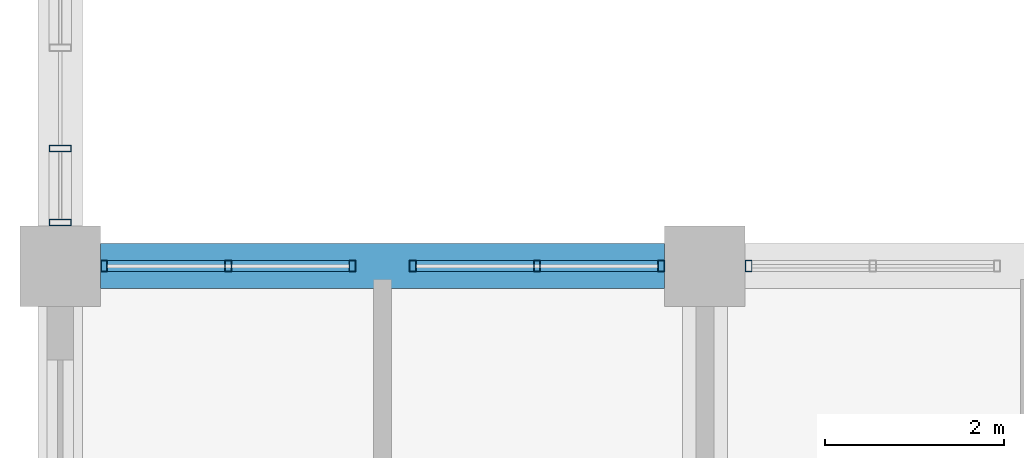
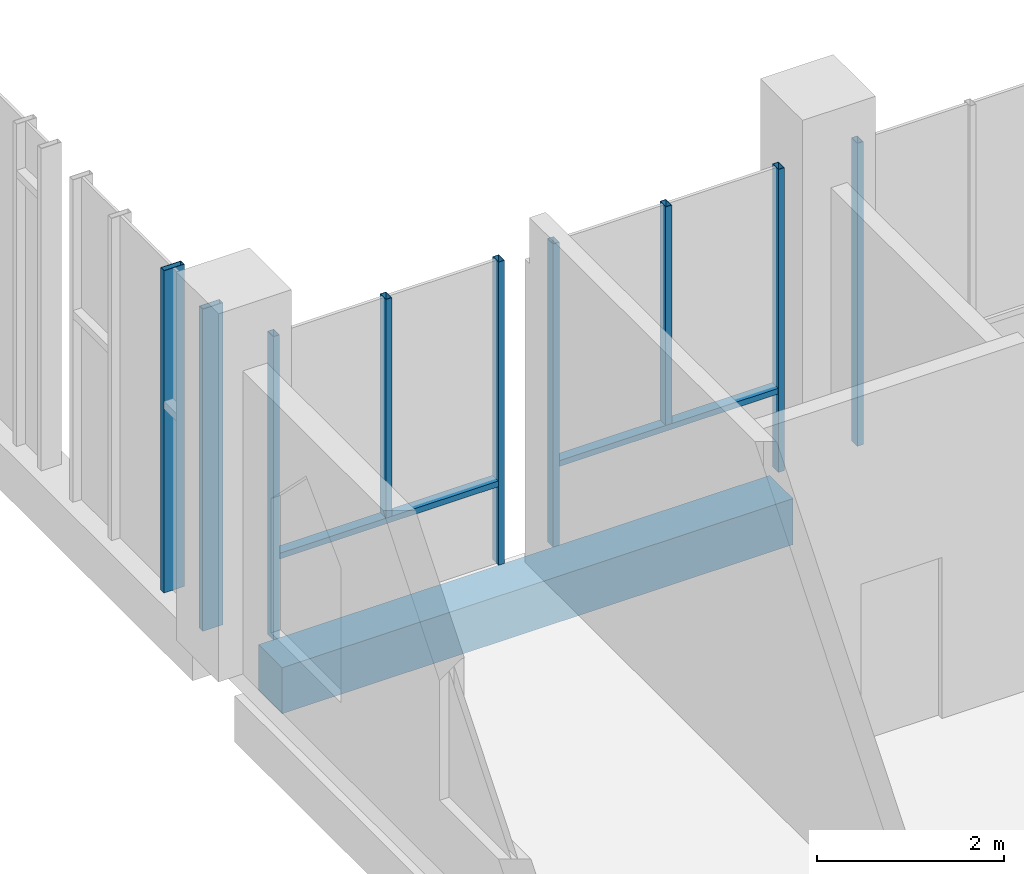
# One storey, part 2 of 30: 11 members, 1 beam, 4 elements without a shape of their own.
"""IFC4 building model written with IfcOpenShell, lengths in metres."""

from ifc_helpers import new_model, si_unit, direction, frame, origin, origin_2d, place, context, subcontext, project, spatial, rectangle, hollow_rectangle, extrude, material, material_profile, profile_set, type_object, element, aggregate, save


model = new_model("IFC4")

# Units and contexts
model_context = context("Model", 3, precision=1e-05, world=origin(), true_north=direction((0.0, 1.0)))
body_context = subcontext(model_context, "Body", "Model", "MODEL_VIEW")
ifc_project = project(units=[si_unit("LENGTHUNIT", "METRE"), si_unit("AREAUNIT", "SQUARE_METRE"), si_unit("VOLUMEUNIT", "CUBIC_METRE"), si_unit("PLANEANGLEUNIT", "RADIAN"), si_unit("MASSUNIT", "GRAM", prefix="KILO")], contexts=[model_context])

# Site, building, storey
site_placement = place(None, origin())
site = spatial("IfcSite", under=ifc_project, at=site_placement, CompositionType="ELEMENT")
building_placement = place(site_placement, origin())
building = spatial("IfcBuilding", under=site, at=building_placement, Name="Silangan Lancet Faculty of Sciences", CompositionType="ELEMENT")
storey_placement = place(building_placement, frame((0.0, 0.0, 31.199951171875)))
storey = spatial("IfcBuildingStorey", under=building, at=storey_placement, Name="L06", CompositionType="ELEMENT", Elevation=31.199951171875)

# Beam
ifc_material_1 = material(Name="Concrete C40/50", Category="concrete")
ifc_material_profile_1 = material_profile(ifc_material_1, rectangle(XDim=0.5, YDim=0.60009765625, at=origin_2d()), Name="RC 500x600")
ifc_profile_set_1 = profile_set([ifc_material_profile_1], Name="Concrete C40/50")
beam_type = type_object("IfcBeamType", Name="BEAM RC 500x600", PredefinedType="BEAM", material=ifc_profile_set_1)
beam_placement = place(storey_placement, frame((0.449951171875, 21.60009765625, -0.550048828125), z_axis=(1.0, 0.0, 0.0), x_axis=(0.0, 1.0, 0.0)))
element("IfcBeam", 1, at=beam_placement, inside=storey, type_object=beam_type, Name="BM-L06-1D-2D", PredefinedType="BEAM", context=body_context, shape_type="SweptSolid", body=[
    extrude(rectangle(XDim=0.5, YDim=0.60009765625, at=origin_2d()), origin(), (0.0, 0.0, 1.0), 6.300048828125),
])

# Curtain wall, member
ifc_material_2 = material(Name="Aluminium framed curtain wall with insulated glass", Category="aluminium")
curtain_wall_type_1 = type_object("IfcCurtainWallType", Name="CW2 Atrium fire-resisting screen", PredefinedType="NOTDEFINED", material=ifc_material_2)
curtain_wall_1_placement = place(storey_placement, origin())
curtain_wall_1 = element("IfcCurtainWall", 2, at=curtain_wall_1_placement, inside=storey, type_object=curtain_wall_type_1, Name="CW2 Atrium south L06 bay 4", PredefinedType="NOTDEFINED")
ifc_material_3 = material(Name="Steel S355J2H", Category="steel")
ifc_material_profile_2 = material_profile(ifc_material_3, hollow_rectangle(XDim=0.074951171875, YDim=0.125, WallThickness=0.0048828125, at=origin_2d()), Name="ST BOX 75x125x5")
ifc_profile_set_2 = profile_set([ifc_material_profile_2], Name="Steel S355J2H")
member_type_1 = type_object("IfcMemberType", Name="CM2 Mullion 75x125", PredefinedType="MULLION", material=ifc_profile_set_2)
member_1_placement = place(storey_placement, frame((7.6875, 21.60009765625, 0.0), z_axis=(0.0, 0.0, 1.0), x_axis=(-1.0, 0.0, 0.0)))
member_1 = element("IfcMember", 3, at=member_1_placement, type_object=member_type_1, Name="CW2 Atrium south L06 bay 4 mullion 2", PredefinedType="MULLION", context=body_context, shape_type="SweptSolid", body=[
    extrude(hollow_rectangle(XDim=0.074951171875, YDim=0.125, WallThickness=0.0048828125, at=origin_2d()), origin(), (0.0, 0.0, 1.0), 3.949951171875),
])
aggregate(curtain_wall_1, [member_1])

# Curtain wall, members
curtain_wall_2_placement = place(storey_placement, origin())
curtain_wall_2 = element("IfcCurtainWall", 4, at=curtain_wall_2_placement, inside=storey, type_object=curtain_wall_type_1, Name="CW2 Atrium south L06 bay 5", PredefinedType="NOTDEFINED")
member_2_placement = place(storey_placement, frame((6.71240234375, 21.60009765625, 0.0), z_axis=(0.0, 0.0, 1.0), x_axis=(-1.0, 0.0, 0.0)))
member_2 = element("IfcMember", 5, at=member_2_placement, type_object=member_type_1, Name="CW2 Atrium south L06 bay 5 mullion 1", PredefinedType="MULLION", context=body_context, shape_type="SweptSolid", body=[
    extrude(hollow_rectangle(XDim=0.074951171875, YDim=0.125, WallThickness=0.0048828125, at=origin_2d()), origin(), (0.0, 0.0, 1.0), 3.949951171875),
])
member_3_placement = place(storey_placement, frame((3.9375, 21.60009765625, 0.0), z_axis=(0.0, 0.0, 1.0), x_axis=(-1.0, 0.0, 0.0)))
member_3 = element("IfcMember", 6, at=member_3_placement, type_object=member_type_1, Name="CW2 Atrium south L06 bay 5 mullion 2", PredefinedType="MULLION", context=body_context, shape_type="SweptSolid", body=[
    extrude(hollow_rectangle(XDim=0.074951171875, YDim=0.125, WallThickness=0.0048828125, at=origin_2d()), origin(), (0.0, 0.0, 1.0), 3.949951171875),
])
member_4_placement = place(storey_placement, frame((5.324951171875, 21.60009765625, 1.10009765625), z_axis=(0.0, 0.0, 1.0), x_axis=(-1.0, 0.0, 0.0)))
member_4 = element("IfcMember", 7, at=member_4_placement, type_object=member_type_1, Name="CW2 Atrium south L06 bay 5 mullion 3", PredefinedType="MULLION", context=body_context, shape_type="SweptSolid", body=[
    extrude(hollow_rectangle(XDim=0.074951171875, YDim=0.125, WallThickness=0.0048828125, at=origin_2d()), origin(), (0.0, 0.0, 1.0), 2.849853515625),
])

curtain_wall_3_placement = place(storey_placement, origin())
curtain_wall_3 = element("IfcCurtainWall", 8, at=curtain_wall_3_placement, inside=storey, type_object=curtain_wall_type_1, Name="CW2 Atrium south L06 bay 6", PredefinedType="NOTDEFINED")
member_5_placement = place(storey_placement, frame((3.2626953125, 21.60009765625, 0.0), z_axis=(0.0, 0.0, 1.0), x_axis=(-1.0, 0.0, 0.0)))
member_5 = element("IfcMember", 9, at=member_5_placement, type_object=member_type_1, Name="CW2 Atrium south L06 bay 6 mullion 1", PredefinedType="MULLION", context=body_context, shape_type="SweptSolid", body=[
    extrude(hollow_rectangle(XDim=0.074951171875, YDim=0.125, WallThickness=0.0048828125, at=origin_2d()), origin(), (0.0, 0.0, 1.0), 3.949951171875),
])
member_6_placement = place(storey_placement, frame((0.487548828125, 21.60009765625, 0.0), z_axis=(0.0, 0.0, 1.0), x_axis=(-1.0, 0.0, 0.0)))
member_6 = element("IfcMember", 10, at=member_6_placement, type_object=member_type_1, Name="CW2 Atrium south L06 bay 6 mullion 2", PredefinedType="MULLION", context=body_context, shape_type="SweptSolid", body=[
    extrude(hollow_rectangle(XDim=0.074951171875, YDim=0.125, WallThickness=0.0048828125, at=origin_2d()), origin(), (0.0, 0.0, 1.0), 3.949951171875),
])
member_7_placement = place(storey_placement, frame((1.875, 21.60009765625, 1.10009765625), z_axis=(0.0, 0.0, 1.0), x_axis=(-1.0, 0.0, 0.0)))
member_7 = element("IfcMember", 11, at=member_7_placement, type_object=member_type_1, Name="CW2 Atrium south L06 bay 6 mullion 3", PredefinedType="MULLION", context=body_context, shape_type="SweptSolid", body=[
    extrude(hollow_rectangle(XDim=0.074951171875, YDim=0.125, WallThickness=0.0048828125, at=origin_2d()), origin(), (0.0, 0.0, 1.0), 2.849853515625),
])

ifc_material_4 = material(Name="Aluminium framed curtain wall with insulated glass", Category="aluminium")
curtain_wall_type_2 = type_object("IfcCurtainWallType", Name="CW3 West stepped lancet window", PredefinedType="NOTDEFINED", material=ifc_material_4)
curtain_wall_4_placement = place(storey_placement, origin())
curtain_wall_4 = element("IfcCurtainWall", 12, at=curtain_wall_4_placement, inside=storey, type_object=curtain_wall_type_2, Name="CW3 West window L06 bay 1", PredefinedType="NOTDEFINED")
ifc_material_5 = material(Name="Aluminium 6063-T6 extrusion", Category="aluminium")
ifc_material_profile_3 = material_profile(ifc_material_5, hollow_rectangle(XDim=0.074951171875, YDim=0.25, WallThickness=0.006103515625, at=origin_2d()), Name="AL BOX 75x250x6")
ifc_profile_set_3 = profile_set([ifc_material_profile_3], Name="Aluminium 6063-T6 extrusion")
member_type_2 = type_object("IfcMemberType", Name="CM3 Mullion 75x250", PredefinedType="MULLION", material=ifc_profile_set_3)
member_8_placement = place(storey_placement, frame((0.0, 22.08740234375, 0.0), z_axis=(0.0, 0.0, 1.0), x_axis=(0.0, 1.0, 0.0)))
member_8 = element("IfcMember", 13, at=member_8_placement, type_object=member_type_2, Name="CW3 West window L06 bay 1 mullion 1", PredefinedType="MULLION", context=body_context, shape_type="SweptSolid", body=[
    extrude(hollow_rectangle(XDim=0.074951171875, YDim=0.25, WallThickness=0.006103515625, at=origin_2d()), origin(), (0.0, 0.0, 1.0), 4.199951171875),
])
member_9_placement = place(storey_placement, frame((0.0, 22.91259765625, 0.0), z_axis=(0.0, 0.0, 1.0), x_axis=(0.0, 1.0, 0.0)))
member_9 = element("IfcMember", 14, at=member_9_placement, type_object=member_type_2, Name="CW3 West window L06 bay 1 mullion 3", PredefinedType="MULLION", context=body_context, shape_type="SweptSolid", body=[
    extrude(hollow_rectangle(XDim=0.074951171875, YDim=0.25, WallThickness=0.006103515625, at=origin_2d()), origin(), (0.0, 0.0, 1.0), 4.199951171875),
])
aggregate(curtain_wall_4, [member_8, member_9])

# Member
ifc_material_6 = material(Name="Steel S355J2H", Category="steel")
ifc_material_profile_4 = material_profile(ifc_material_6, hollow_rectangle(XDim=0.125, YDim=0.074951171875, WallThickness=0.0048828125, at=origin_2d()), Name="ST BOX 125x75x5")
ifc_profile_set_4 = profile_set([ifc_material_profile_4], Name="Steel S355J2H")
member_type_3 = type_object("IfcMemberType", Name="CT2 Transom 125x75", PredefinedType="USERDEFINED", material=ifc_profile_set_4)
member_10_placement = place(storey_placement, frame((6.675048828125, 21.60009765625, 1.0625), z_axis=(-1.0, 0.0, 0.0), x_axis=(0.0, -1.0, 0.0)))
member_10 = element("IfcMember", 15, at=member_10_placement, type_object=member_type_3, Name="CW2 Atrium south L06 bay 5 transom 1", ObjectType="TRANSOM", PredefinedType="USERDEFINED", context=body_context, shape_type="SweptSolid", body=[
    extrude(hollow_rectangle(XDim=0.125, YDim=0.074951171875, WallThickness=0.0048828125, at=origin_2d()), origin(), (0.0, 0.0, 1.0), 2.699951171875),
])

aggregate(curtain_wall_2, [member_2, member_3, member_4, member_10])

member_11_placement = place(storey_placement, frame((3.22509765625, 21.60009765625, 1.0625), z_axis=(-1.0, 0.0, 0.0), x_axis=(0.0, -1.0, 0.0)))
member_11 = element("IfcMember", 16, at=member_11_placement, type_object=member_type_3, Name="CW2 Atrium south L06 bay 6 transom 1", ObjectType="TRANSOM", PredefinedType="USERDEFINED", context=body_context, shape_type="SweptSolid", body=[
    extrude(hollow_rectangle(XDim=0.125, YDim=0.074951171875, WallThickness=0.0048828125, at=origin_2d()), origin(), (0.0, 0.0, 1.0), 2.7001953125),
])

aggregate(curtain_wall_3, [member_5, member_6, member_7, member_11])

save(model, "model.ifc")
